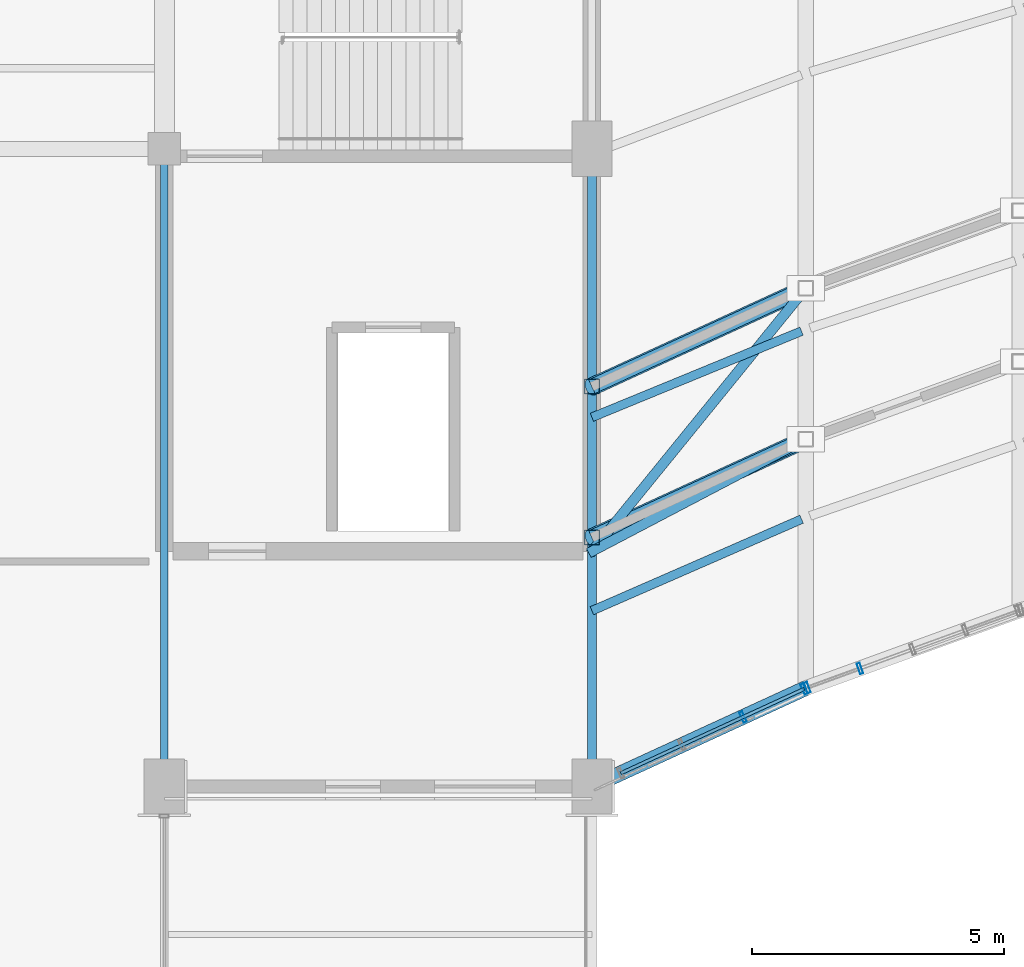
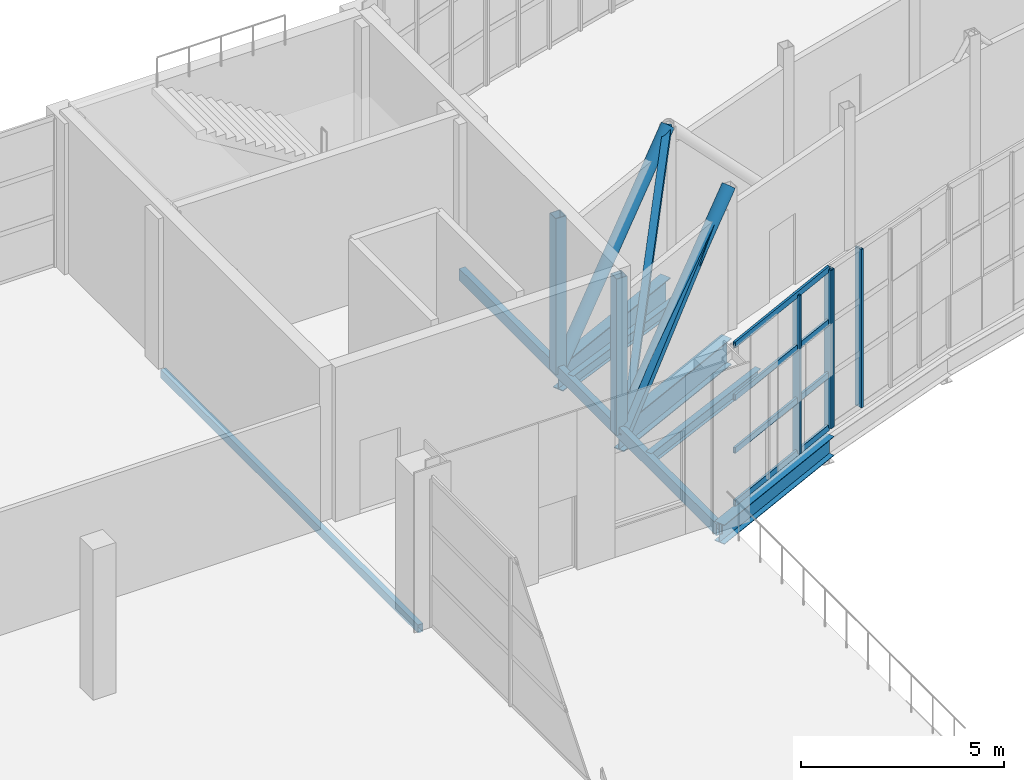
# One storey, part 34 of 86: 14 members, 7 beams, 2 elements without a shape of their own.
"""IFC4 building model written with IfcOpenShell, lengths in metres."""

from ifc_helpers import new_model, si_unit, direction, frame, origin, origin_2d, place, context, subcontext, project, spatial, hollow_rectangle, hollow_circle, i_section, extrude, material, material_profile, profile_set, type_object, element, aggregate, save


model = new_model("IFC4")

# Units and contexts
model_context = context("Model", 3, precision=1e-05, world=origin(), true_north=direction((0.0, 1.0)))
body_context = subcontext(model_context, "Body", "Model", "MODEL_VIEW")
ifc_project = project(units=[si_unit("LENGTHUNIT", "METRE"), si_unit("AREAUNIT", "SQUARE_METRE"), si_unit("VOLUMEUNIT", "CUBIC_METRE"), si_unit("PLANEANGLEUNIT", "RADIAN"), si_unit("MASSUNIT", "GRAM", prefix="KILO")], contexts=[model_context])

# Site, building, storey
site_placement = place(None, origin())
site = spatial("IfcSite", under=ifc_project, at=site_placement, CompositionType="ELEMENT")
building_placement = place(site_placement, origin())
building = spatial("IfcBuilding", under=site, at=building_placement, Name="Solvikara Media Centre", CompositionType="ELEMENT")
storey_placement = place(building_placement, frame((0.0, 0.0, 15.0)))
storey = spatial("IfcBuildingStorey", under=building, at=storey_placement, Name="L03", CompositionType="ELEMENT", Elevation=15.0)

# Beams
ifc_material_1 = material(Name="Steel S355JR", Category="steel")
ifc_material_profile_1 = material_profile(ifc_material_1, i_section(OverallWidth=0.300048828125, OverallDepth=0.800048828125, WebThickness=0.013916015625, FlangeThickness=0.02587890625, at=origin_2d()), Name="WF 800x300x14x26")
ifc_profile_set_1 = profile_set([ifc_material_profile_1], Name="Steel S355JR")
beam_type_1 = type_object("IfcBeamType", Name="BM-16", PredefinedType="BEAM", material=ifc_profile_set_1)
for number, where, z_axis, x_axis, name in (
    (1, (76.5, 24.27392578125, -0.6220703125), (0.908513080243, 0.417856414367, 0.0), (-0.417856414367, 0.908513080243, 0.0), "B-L03-SPNS-00"),
    (2, (76.5, 27.27392578125, -0.6220703125), (0.908513080243, 0.417856414367, 0.0), (-0.417856414367, 0.908513080243, 0.0), "B-L03-SPNN-00"),
):
    element("IfcBeam", number, at=place(storey_placement, frame(where, z_axis=z_axis, x_axis=x_axis)), inside=storey, type_object=beam_type_1, Name=name, PredefinedType="BEAM", context=body_context, shape_type="SweptSolid", body=[
        extrude(i_section(OverallWidth=0.300048828125, OverallDepth=0.800048828125, WebThickness=0.013916015625, FlangeThickness=0.02587890625, at=origin_2d()), origin(), (0.0, 0.0, 1.0), 4.587646484375),
    ])
ifc_material_profile_2 = material_profile(ifc_material_1, i_section(OverallWidth=0.175048828125, OverallDepth=0.35009765625, WebThickness=0.007080078125, FlangeThickness=0.010986328125, at=origin_2d()), Name="WF 350x175x7x11")
ifc_profile_set_2 = profile_set([ifc_material_profile_2], Name="Steel S355JR")
beam_type_2 = type_object("IfcBeamType", Name="BM-22", PredefinedType="JOIST", material=ifc_profile_set_2)
beam_1_placement = place(storey_placement, frame((76.5, 22.819091796875, -0.39697265625), z_axis=(0.916452774581, 0.40014286444, 0.0), x_axis=(-0.40014286444, 0.916452774581, 0.0)))
element("IfcBeam", 3, at=beam_1_placement, inside=storey, type_object=beam_type_2, Name="BJ-L03-00-20", PredefinedType="JOIST", context=body_context, shape_type="SweptSolid", body=[
    extrude(i_section(OverallWidth=0.175048828125, OverallDepth=0.35009765625, WebThickness=0.007080078125, FlangeThickness=0.010986328125, at=origin_2d()), origin(), (0.0, 0.0, 1.0), 4.5478515625),
])
beam_2_placement = place(storey_placement, frame((76.5, 26.6640625, -0.39697265625), z_axis=(0.924906874056, 0.380193732621, 0.0), x_axis=(-0.380193732621, 0.924906874056, 0.0)))
element("IfcBeam", 4, at=beam_2_placement, inside=storey, type_object=beam_type_2, Name="BJ-L03-00-42", PredefinedType="JOIST", context=body_context, shape_type="SweptSolid", body=[
    extrude(i_section(OverallWidth=0.175048828125, OverallDepth=0.35009765625, WebThickness=0.007080078125, FlangeThickness=0.010986328125, at=origin_2d()), origin(), (0.0, 0.0, 1.0), 4.50537109375),
])
ifc_material_profile_3 = material_profile(ifc_material_1, i_section(OverallWidth=0.300048828125, OverallDepth=0.58203125, WebThickness=0.011962890625, FlangeThickness=0.01708984375, at=origin_2d()), Name="WF 582x300x12x17")
ifc_profile_set_3 = profile_set([ifc_material_profile_3], Name="Steel S355JR")
beam_type_3 = type_object("IfcBeamType", Name="BM-31", PredefinedType="SPANDREL", material=ifc_profile_set_3)
beam_3_placement = place(storey_placement, frame((76.5, 19.323974609375, -0.512939453125), z_axis=(0.908484112169, 0.417919391673, 0.0), x_axis=(-0.417919391673, 0.908484112169, 0.0)))
element("IfcBeam", 5, at=beam_3_placement, inside=storey, type_object=beam_type_3, Name="B-L03-SARC-00", PredefinedType="SPANDREL", context=body_context, shape_type="SweptSolid", body=[
    extrude(i_section(OverallWidth=0.300048828125, OverallDepth=0.58203125, WebThickness=0.011962890625, FlangeThickness=0.01708984375, at=origin_2d()), origin(), (0.0, 0.0, 1.0), 4.67822265625),
])
ifc_material_profile_4 = material_profile(ifc_material_1, hollow_rectangle(XDim=0.175048828125, YDim=0.35009765625, WallThickness=0.010009765625, at=origin_2d()), Name="RHS 350x175x10")
ifc_profile_set_4 = profile_set([ifc_material_profile_4], Name="Steel S355JR")
beam_type_4 = type_object("IfcBeamType", Name="BM-34", PredefinedType="SPANDREL", material=ifc_profile_set_4)
beam_4_placement = place(storey_placement, frame((76.5, 19.323974609375, -0.39697265625), z_axis=(0.0, 1.0, 0.0), x_axis=(-1.0, 0.0, 0.0)))
element("IfcBeam", 6, at=beam_4_placement, inside=storey, type_object=beam_type_4, Name="B-L03-Y1282", PredefinedType="SPANDREL", context=body_context, shape_type="SweptSolid", body=[
    extrude(hollow_rectangle(XDim=0.175048828125, YDim=0.35009765625, WallThickness=0.010009765625, at=origin_2d()), origin(), (0.0, 0.0, 1.0), 12.676025390625),
])
ifc_material_profile_5 = material_profile(ifc_material_1, hollow_rectangle(XDim=0.14990234375, YDim=0.25, WallThickness=0.008056640625, at=origin_2d()), Name="RHS 250x150x8")
ifc_profile_set_5 = profile_set([ifc_material_profile_5], Name="Steel S355JR")
beam_type_5 = type_object("IfcBeamType", Name="BM-36", PredefinedType="JOIST", material=ifc_profile_set_5)
beam_5_placement = place(storey_placement, frame((68.0, 19.323974609375, -0.406982421875), z_axis=(0.0, 1.0, 0.0), x_axis=(-1.0, 0.0, 0.0)))
element("IfcBeam", 7, at=beam_5_placement, inside=storey, type_object=beam_type_5, Name="B-L03-Y1278", PredefinedType="JOIST", context=body_context, shape_type="SweptSolid", body=[
    extrude(hollow_rectangle(XDim=0.14990234375, YDim=0.25, WallThickness=0.008056640625, at=origin_2d()), origin(), (0.0, 0.0, 1.0), 12.676025390625),
])

# Members
ifc_material_profile_6 = material_profile(ifc_material_1, hollow_circle(Radius=0.177734375, WallThickness=0.012451171875, at=origin_2d()), Name="CHS 355.6x12.5")
ifc_profile_set_6 = profile_set([ifc_material_profile_6], Name="Steel S355JR")
member_type_1 = type_object("IfcMemberType", Name="MB-01", PredefinedType="CHORD", material=ifc_profile_set_6)
for number, where, z_axis, x_axis, name in (
    (8, (76.5, 24.27392578125, -0.449951171875), (0.640898285168, 0.294824992396, 0.708750740336), (-0.417919391673, 0.908484112169, 0.0), "WTR-L03-S-DA00"),
    (9, (76.5, 27.27392578125, -0.449951171875), (0.640898285168, 0.294824992396, 0.708750740336), (-0.417919391673, 0.908484112169, 0.0), "WTR-L03-N-DA00"),
):
    element("IfcMember", number, at=place(storey_placement, frame(where, z_axis=z_axis, x_axis=x_axis)), inside=storey, type_object=member_type_1, Name=name, PredefinedType="CHORD", context=body_context, shape_type="SweptSolid", body=[
        extrude(hollow_circle(Radius=0.177734375, WallThickness=0.012451171875, at=origin_2d()), origin(), (0.0, 0.0, 1.0), 6.63134765625),
    ])
ifc_material_profile_7 = material_profile(ifc_material_1, hollow_rectangle(XDim=0.300048828125, YDim=0.300048828125, WallThickness=0.012451171875, at=origin_2d()), Name="RHS 300x300x12.5")
ifc_profile_set_7 = profile_set([ifc_material_profile_7], Name="Steel S355JR")
member_type_2 = type_object("IfcMemberType", Name="MB-11", PredefinedType="CHORD", material=ifc_profile_set_7)
for number, where, z_axis, x_axis, name in (
    (10, (76.5, 24.27392578125, -0.449951171875), (0.0, 0.0, 1.0), (1.0, 0.0, 0.0), "WTR-L03-S-V00"),
    (11, (76.5, 27.27392578125, -0.449951171875), (0.0, 0.0, 1.0), (1.0, 0.0, 0.0), "WTR-L03-N-V00"),
):
    element("IfcMember", number, at=place(storey_placement, frame(where, z_axis=z_axis, x_axis=x_axis)), inside=storey, type_object=member_type_2, Name=name, PredefinedType="CHORD", context=body_context, shape_type="SweptSolid", body=[
        extrude(hollow_rectangle(XDim=0.300048828125, YDim=0.300048828125, WallThickness=0.012451171875, at=origin_2d()), origin(), (0.0, 0.0, 1.0), 4.699951171875),
    ])
ifc_material_profile_8 = material_profile(ifc_material_1, hollow_rectangle(XDim=0.199951171875, YDim=0.199951171875, WallThickness=0.008056640625, at=origin_2d()), Name="RHS 200x200x8")
ifc_profile_set_8 = profile_set([ifc_material_profile_8], Name="Steel S355JR")
member_type_3 = type_object("IfcMemberType", Name="MB-13", PredefinedType="BRACE", material=ifc_profile_set_8)
member_1_placement = place(storey_placement, frame((76.5, 24.0, -0.449951171875), z_axis=(0.632706040868, 0.331836290965, 0.699691176054), x_axis=(-0.464466958116, 0.885590449823, 0.0)))
element("IfcMember", 12, at=member_1_placement, inside=storey, type_object=member_type_3, Name="WTR-L03-S-ANCW", PredefinedType="BRACE", context=body_context, shape_type="SweptSolid", body=[
    extrude(hollow_rectangle(XDim=0.199951171875, YDim=0.199951171875, WallThickness=0.008056640625, at=origin_2d()), origin(), (0.0, 0.0, 1.0), 6.71728515625),
])
member_2_placement = place(storey_placement, frame((76.5, 24.0, -0.449951171875), z_axis=(0.5173145151, 0.636479910639, 0.572083049758), x_axis=(-0.77600981283, 0.63072083396, 0.0)))
element("IfcMember", 13, at=member_2_placement, inside=storey, type_object=member_type_3, Name="WTR-L03-N-ANCW", PredefinedType="BRACE", context=body_context, shape_type="SweptSolid", body=[
    extrude(hollow_rectangle(XDim=0.199951171875, YDim=0.199951171875, WallThickness=0.008056640625, at=origin_2d()), origin(), (0.0, 0.0, 1.0), 8.215576171875),
])

# Curtain wall, members
ifc_material_2 = material(Name="Anodised aluminium EN AW-6063", Category="aluminium")
curtain_wall_type = type_object("IfcCurtainWallType", Name="CW-01", PredefinedType="NOTDEFINED", material=ifc_material_2)
curtain_wall_1_placement = place(storey_placement, origin())
curtain_wall_1 = element("IfcCurtainWall", 14, at=curtain_wall_1_placement, inside=storey, type_object=curtain_wall_type, Name="CW-L03-SARC-00", PredefinedType="NOTDEFINED")
ifc_material_profile_9 = material_profile(ifc_material_2, hollow_rectangle(XDim=0.06494140625, YDim=0.219970703125, WallThickness=0.00390625, at=origin_2d()), Name="ALU-M 65x220x4")
ifc_profile_set_9 = profile_set([ifc_material_profile_9], Name="Anodised aluminium EN AW-6063")
member_type_4 = type_object("IfcMemberType", Name="MF-01", PredefinedType="MULLION", material=ifc_profile_set_9)
member_3_placement = place(storey_placement, frame((79.50390625, 20.7060546875, 0.02001953125), z_axis=(0.0, 0.0, 1.0), x_axis=(0.908566513921, 0.417740218056, 0.0)))
member_3 = element("IfcMember", 15, at=member_3_placement, type_object=member_type_4, Name="CW-L03-SARC-00-M02", PredefinedType="MULLION", context=body_context, shape_type="SweptSolid", body=[
    extrude(hollow_rectangle(XDim=0.06494140625, YDim=0.219970703125, WallThickness=0.00390625, at=origin_2d()), origin(), (0.0, 0.0, 1.0), 4.760009765625),
])
member_4_placement = place(storey_placement, frame((80.718017578125, 21.263916015625, 0.02001953125), z_axis=(0.0, 0.0, 1.0), x_axis=(0.908566513921, 0.417740218056, 0.0)))
member_4 = element("IfcMember", 16, at=member_4_placement, type_object=member_type_4, Name="CW-L03-SARC-00-M03", PredefinedType="MULLION", context=body_context, shape_type="SweptSolid", body=[
    extrude(hollow_rectangle(XDim=0.06494140625, YDim=0.219970703125, WallThickness=0.00390625, at=origin_2d()), origin(), (0.0, 0.0, 1.0), 4.760009765625),
])

curtain_wall_2_placement = place(storey_placement, origin())
curtain_wall_2 = element("IfcCurtainWall", 17, at=curtain_wall_2_placement, inside=storey, type_object=curtain_wall_type, Name="CW-L03-SARC-01", PredefinedType="NOTDEFINED")
member_5_placement = place(storey_placement, frame((80.782958984375, 21.291015625, 0.02001953125), z_axis=(0.0, 0.0, 1.0), x_axis=(0.939823877818, 0.341659302058, 0.0)))
member_5 = element("IfcMember", 18, at=member_5_placement, type_object=member_type_4, Name="CW-L03-SARC-01-M00", PredefinedType="MULLION", context=body_context, shape_type="SweptSolid", body=[
    extrude(hollow_rectangle(XDim=0.06494140625, YDim=0.219970703125, WallThickness=0.00390625, at=origin_2d()), origin(), (0.0, 0.0, 1.0), 4.760009765625),
])
member_6_placement = place(storey_placement, frame((81.8291015625, 21.6708984375, 0.02001953125), z_axis=(0.0, 0.0, 1.0), x_axis=(0.939823877818, 0.341659302058, 0.0)))
member_6 = element("IfcMember", 19, at=member_6_placement, type_object=member_type_4, Name="CW-L03-SARC-01-M01", PredefinedType="MULLION", context=body_context, shape_type="SweptSolid", body=[
    extrude(hollow_rectangle(XDim=0.06494140625, YDim=0.219970703125, WallThickness=0.00390625, at=origin_2d()), origin(), (0.0, 0.0, 1.0), 4.760009765625),
])
aggregate(curtain_wall_2, [member_5, member_6])

# Member
ifc_material_profile_10 = material_profile(ifc_material_2, hollow_rectangle(XDim=0.06494140625, YDim=0.179931640625, WallThickness=0.00341796875, at=origin_2d()), Name="ALU-T 65x180x3.5")
ifc_profile_set_10 = profile_set([ifc_material_profile_10], Name="Anodised aluminium EN AW-6063")
member_type_5 = type_object("IfcMemberType", Name="MF-07", PredefinedType="USERDEFINED", material=ifc_profile_set_10)
member_7_placement = place(storey_placement, frame((77.074951171875, 19.589111328125, 0.02001953125), z_axis=(0.908585672428, 0.417698546633, 0.0), x_axis=(-0.417698546633, 0.908585672428, 0.0)))
member_7 = element("IfcMember", 20, at=member_7_placement, type_object=member_type_5, Name="CW-L03-SARC-00-T00", ObjectType="TRANSOM", PredefinedType="USERDEFINED", context=body_context, shape_type="SweptSolid", body=[
    extrude(hollow_rectangle(XDim=0.06494140625, YDim=0.179931640625, WallThickness=0.00341796875, at=origin_2d()), origin(), (0.0, 0.0, 1.0), 4.009521484375),
])

member_8_placement = place(storey_placement, frame((77.074951171875, 19.589111328125, 1.60693359375), z_axis=(0.908585672428, 0.417698546633, 0.0), x_axis=(-0.417698546633, 0.908585672428, 0.0)))
member_8 = element("IfcMember", 21, at=member_8_placement, type_object=member_type_5, Name="CW-L03-SARC-00-T01", ObjectType="TRANSOM", PredefinedType="USERDEFINED", context=body_context, shape_type="SweptSolid", body=[
    extrude(hollow_rectangle(XDim=0.06494140625, YDim=0.179931640625, WallThickness=0.00341796875, at=origin_2d()), origin(), (0.0, 0.0, 1.0), 4.009521484375),
])

member_9_placement = place(storey_placement, frame((77.074951171875, 19.589111328125, 3.193115234375), z_axis=(0.908585672428, 0.417698546633, 0.0), x_axis=(-0.417698546633, 0.908585672428, 0.0)))
member_9 = element("IfcMember", 22, at=member_9_placement, type_object=member_type_5, Name="CW-L03-SARC-00-T02", ObjectType="TRANSOM", PredefinedType="USERDEFINED", context=body_context, shape_type="SweptSolid", body=[
    extrude(hollow_rectangle(XDim=0.06494140625, YDim=0.179931640625, WallThickness=0.00341796875, at=origin_2d()), origin(), (0.0, 0.0, 1.0), 4.009521484375),
])

member_10_placement = place(storey_placement, frame((77.074951171875, 19.589111328125, 4.780029296875), z_axis=(0.908585672428, 0.417698546633, 0.0), x_axis=(-0.417698546633, 0.908585672428, 0.0)))
member_10 = element("IfcMember", 23, at=member_10_placement, type_object=member_type_5, Name="CW-L03-SARC-00-T03", ObjectType="TRANSOM", PredefinedType="USERDEFINED", context=body_context, shape_type="SweptSolid", body=[
    extrude(hollow_rectangle(XDim=0.06494140625, YDim=0.179931640625, WallThickness=0.00341796875, at=origin_2d()), origin(), (0.0, 0.0, 1.0), 4.009521484375),
])

aggregate(curtain_wall_1, [member_3, member_4, member_7, member_8, member_9, member_10])

save(model, "model.ifc")
